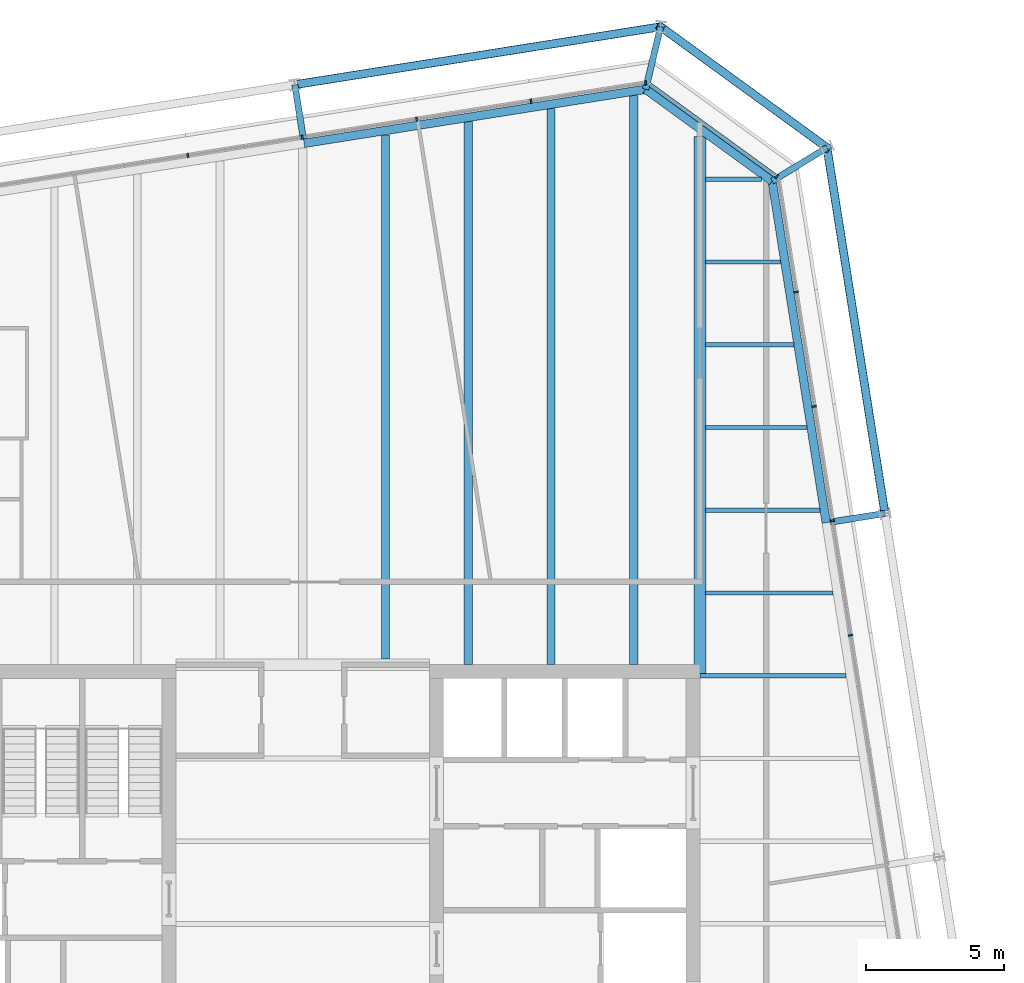
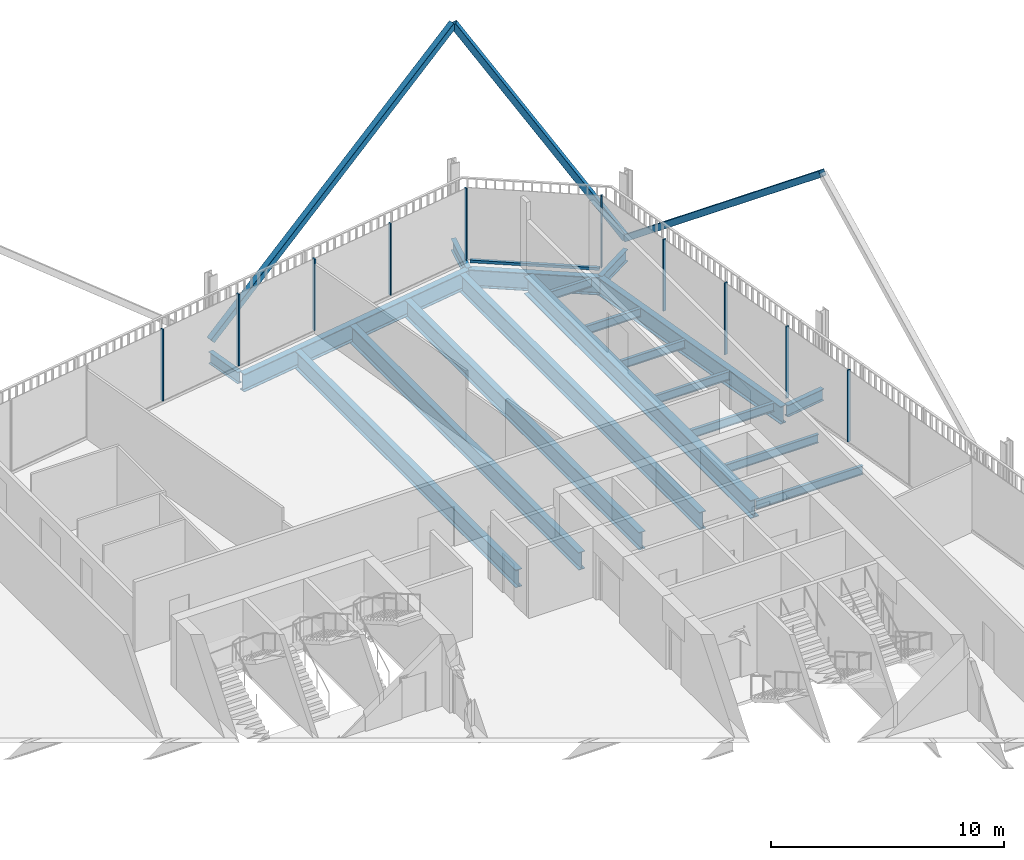
# One storey, part 15 of 21: 19 beams, 14 members, 3 elements without a shape of their own.
"""IFC4 building model written with IfcOpenShell, lengths in metres."""

from ifc_helpers import new_model, si_unit, direction, frame, origin, origin_2d, place, context, subcontext, project, spatial, rectangle, hollow_rectangle, i_section, extrude, material, layer, layer_set, material_profile, profile_set, type_object, element, aggregate, save


model = new_model("IFC4")

# Units and contexts
model_context = context("Model", 3, precision=1e-05, world=origin(), true_north=direction((0.0, 1.0)))
body_context = subcontext(model_context, "Body", "Model", "MODEL_VIEW")
ifc_project = project(units=[si_unit("LENGTHUNIT", "METRE"), si_unit("AREAUNIT", "SQUARE_METRE"), si_unit("VOLUMEUNIT", "CUBIC_METRE"), si_unit("PLANEANGLEUNIT", "RADIAN"), si_unit("MASSUNIT", "GRAM", prefix="KILO")], contexts=[model_context])

# Site, building, storey
site_placement = place(None, origin())
site = spatial("IfcSite", under=ifc_project, at=site_placement, CompositionType="ELEMENT")
building_placement = place(site_placement, origin())
building = spatial("IfcBuilding", under=site, at=building_placement, Name="Millrace Tower", CompositionType="ELEMENT")
storey_placement = place(building_placement, frame((0.0, 0.0, 235.89990234375)))
storey = spatial("IfcBuildingStorey", under=building, at=storey_placement, Name="L54", CompositionType="ELEMENT", Elevation=235.89990234375)

# Curtain wall, members
ifc_material_1 = material(Name="Aluminium and glass", Category="aluminium")
ifc_layer = layer(ifc_material_1, 0.14990234375)
ifc_layer_set = layer_set([ifc_layer], Name="Aluminium and glass")
curtain_wall_type = type_object("IfcCurtainWallType", Name="CW-1 office vision curtain wall", PredefinedType="NOTDEFINED", material=ifc_layer_set)
placement = place(storey_placement, origin())
curtain_wall_1 = element("IfcCurtainWall", 1, at=placement, inside=storey, type_object=curtain_wall_type, Name="Curtain wall D-F04 L54", PredefinedType="NOTDEFINED")
ifc_material_2 = material(Name="Aluminium", Category="aluminium")
ifc_material_profile_1 = material_profile(ifc_material_2, rectangle(XDim=0.06494140625, YDim=0.14990234375, at=origin_2d()))
ifc_profile_set_1 = profile_set([ifc_material_profile_1], Name="Aluminium")
member_type_1 = type_object("IfcMemberType", Name="CW-1 office vision curtain wall mullion", PredefinedType="MULLION", material=ifc_profile_set_1)
member_1_placement = place(storey_placement, frame((19.857421875, 10.466064453125, 0.14013671875), z_axis=(0.0, 0.0, 1.0), x_axis=(-0.156434471884, 0.987688339511, 0.0)))
member_1 = element("IfcMember", 2, at=member_1_placement, type_object=member_type_1, Name="CW1 mullion D-F04.6", PredefinedType="MULLION", context=body_context, shape_type="SweptSolid", body=[
    extrude(rectangle(XDim=0.06494140625, YDim=0.14990234375, at=origin_2d()), origin(), (0.0, 0.0, 1.0), 3.760009765625),
])
member_2_placement = place(storey_placement, frame((19.2001953125, 14.6142578125, 0.14013671875), z_axis=(0.0, 0.0, 1.0), x_axis=(-0.156434471884, 0.987688339511, 0.0)))
member_2 = element("IfcMember", 3, at=member_2_placement, type_object=member_type_1, Name="CW1 mullion D-F04.7", PredefinedType="MULLION", context=body_context, shape_type="SweptSolid", body=[
    extrude(rectangle(XDim=0.06494140625, YDim=0.14990234375, at=origin_2d()), origin(), (0.0, 0.0, 1.0), 3.760009765625),
])
member_3_placement = place(storey_placement, frame((18.543212890625, 18.762451171875, 0.14013671875), z_axis=(0.0, 0.0, 1.0), x_axis=(-0.156434471884, 0.987688339511, 0.0)))
member_3 = element("IfcMember", 4, at=member_3_placement, type_object=member_type_1, Name="CW1 mullion D-F04.8", PredefinedType="MULLION", context=body_context, shape_type="SweptSolid", body=[
    extrude(rectangle(XDim=0.06494140625, YDim=0.14990234375, at=origin_2d()), origin(), (0.0, 0.0, 1.0), 3.760009765625),
])
member_4_placement = place(storey_placement, frame((17.88623046875, 22.910888671875, 0.14013671875), z_axis=(0.0, 0.0, 1.0), x_axis=(-0.156434471884, 0.987688339511, 0.0)))
member_4 = element("IfcMember", 5, at=member_4_placement, type_object=member_type_1, Name="CW1 mullion D-F04.9", PredefinedType="MULLION", context=body_context, shape_type="SweptSolid", body=[
    extrude(rectangle(XDim=0.06494140625, YDim=0.14990234375, at=origin_2d()), origin(), (0.0, 0.0, 1.0), 3.760009765625),
])
aggregate(curtain_wall_1, [member_1, member_2, member_3, member_4])

# Curtain wall, member
curtain_wall_2 = element("IfcCurtainWall", 6, at=placement, inside=storey, type_object=curtain_wall_type, Name="Curtain wall D-F05 L54", PredefinedType="NOTDEFINED")
member_5_placement = place(storey_placement, frame((17.177978515625, 27.094970703125, 0.14013671875), z_axis=(0.0, 0.0, 1.0), x_axis=(-0.809016955361, 0.587785305991, 0.0)))
member_5 = element("IfcMember", 7, at=member_5_placement, type_object=member_type_1, Name="CW1 mullion D-F05.1", PredefinedType="MULLION", context=body_context, shape_type="SweptSolid", body=[
    extrude(rectangle(XDim=0.06494140625, YDim=0.14990234375, at=origin_2d()), origin(), (0.0, 0.0, 1.0), 3.760009765625),
])

# Curtain wall, members
curtain_wall_3 = element("IfcCurtainWall", 8, at=placement, inside=storey, type_object=curtain_wall_type, Name="Curtain wall D-F06 L54", PredefinedType="NOTDEFINED")
member_6_placement = place(storey_placement, frame((12.425537109375, 30.492431640625, 0.14013671875), z_axis=(0.0, 0.0, 1.0), x_axis=(-0.987688339511, -0.156434471884, 0.0)))
member_6 = element("IfcMember", 9, at=member_6_placement, type_object=member_type_1, Name="CW1 mullion D-F06.1", PredefinedType="MULLION", context=body_context, shape_type="SweptSolid", body=[
    extrude(rectangle(XDim=0.06494140625, YDim=0.14990234375, at=origin_2d()), origin(), (0.0, 0.0, 1.0), 3.760009765625),
])
member_7_placement = place(storey_placement, frame((8.277099609375, 29.83544921875, 0.14013671875), z_axis=(0.0, 0.0, 1.0), x_axis=(-0.987688339511, -0.156434471884, 0.0)))
member_7 = element("IfcMember", 10, at=member_7_placement, type_object=member_type_1, Name="CW1 mullion D-F06.2", PredefinedType="MULLION", context=body_context, shape_type="SweptSolid", body=[
    extrude(rectangle(XDim=0.06494140625, YDim=0.14990234375, at=origin_2d()), origin(), (0.0, 0.0, 1.0), 3.760009765625),
])
member_8_placement = place(storey_placement, frame((4.12890625, 29.178466796875, 0.14013671875), z_axis=(0.0, 0.0, 1.0), x_axis=(-0.987688339511, -0.156434471884, 0.0)))
member_8 = element("IfcMember", 11, at=member_8_placement, type_object=member_type_1, Name="CW1 mullion D-F06.3", PredefinedType="MULLION", context=body_context, shape_type="SweptSolid", body=[
    extrude(rectangle(XDim=0.06494140625, YDim=0.14990234375, at=origin_2d()), origin(), (0.0, 0.0, 1.0), 3.760009765625),
])
member_9_placement = place(storey_placement, frame((-0.019287109375, 28.521240234375, 0.14013671875), z_axis=(0.0, 0.0, 1.0), x_axis=(-0.987688339511, -0.156434471884, 0.0)))
member_9 = element("IfcMember", 12, at=member_9_placement, type_object=member_type_1, Name="CW1 mullion D-F06.4", PredefinedType="MULLION", context=body_context, shape_type="SweptSolid", body=[
    extrude(rectangle(XDim=0.06494140625, YDim=0.14990234375, at=origin_2d()), origin(), (0.0, 0.0, 1.0), 3.760009765625),
])
member_10_placement = place(storey_placement, frame((-4.167724609375, 27.8642578125, 0.14013671875), z_axis=(0.0, 0.0, 1.0), x_axis=(-0.987688339511, -0.156434471884, 0.0)))
member_10 = element("IfcMember", 13, at=member_10_placement, type_object=member_type_1, Name="CW1 mullion D-F06.5", PredefinedType="MULLION", context=body_context, shape_type="SweptSolid", body=[
    extrude(rectangle(XDim=0.06494140625, YDim=0.14990234375, at=origin_2d()), origin(), (0.0, 0.0, 1.0), 3.760009765625),
])
aggregate(curtain_wall_3, [member_6, member_7, member_8, member_9, member_10])

# Member
ifc_material_3 = material(Name="Aluminium", Category="aluminium")
ifc_material_profile_2 = material_profile(ifc_material_3, rectangle(XDim=0.14990234375, YDim=0.139892578125, at=origin_2d()))
ifc_profile_set_2 = profile_set([ifc_material_profile_2], Name="Aluminium")
member_type_2 = type_object("IfcMemberType", Name="CW-1 office vision curtain wall transom", PredefinedType="USERDEFINED", material=ifc_profile_set_2)
member_11_placement = place(storey_placement, frame((17.123291015625, 27.134765625, 0.070068359375), z_axis=(-0.809018869857, 0.587782670904, 0.0), x_axis=(-0.587782670904, -0.809018869857, 0.0)))
member_11 = element("IfcMember", 14, at=member_11_placement, type_object=member_type_2, Name="CW1 transom D-F05.1", ObjectType="TRANSOM", PredefinedType="USERDEFINED", context=body_context, shape_type="SweptSolid", body=[
    extrude(rectangle(XDim=0.14990234375, YDim=0.139892578125, at=origin_2d()), origin(), (0.0, 0.0, 1.0), 5.59814453125),
])

aggregate(curtain_wall_2, [member_5, member_11])

# Members
ifc_material_4 = material(Name="Steel ASTM A500 Grade C", Category="steel")
ifc_material_profile_3 = material_profile(ifc_material_4, hollow_rectangle(XDim=0.3046875, YDim=0.3046875, WallThickness=0.009521484375, InnerFilletRadius=0.004638671875, OuterFilletRadius=0.014404296875, at=origin_2d()))
ifc_profile_set_3 = profile_set([ifc_material_profile_3], Name="Steel ASTM A500 Grade C")
member_type_3 = type_object("IfcMemberType", Name="Exoskeleton brace HSS12x12x3/8", PredefinedType="BRACE", material=ifc_profile_set_3)
member_12_placement = place(storey_placement, frame((19.006103515625, 28.146484375, 0.400146484375), z_axis=(0.122339528742, -0.772456675785, 0.623172306623), x_axis=(0.987689444837, 0.156427492975, 0.0)))
element("IfcMember", 15, at=member_12_placement, inside=storey, type_object=member_type_3, Name="BRC-D-L54-08", PredefinedType="BRACE", context=body_context, shape_type="SweptSolid", body=[
    extrude(hollow_rectangle(XDim=0.3046875, YDim=0.3046875, WallThickness=0.009521484375, InnerFilletRadius=0.004638671875, OuterFilletRadius=0.014404296875, at=origin_2d()), origin(), (0.0, 0.0, 1.0), 17.170166015625),
])
member_13_placement = place(storey_placement, frame((19.006103515625, 28.146484375, 0.400146484375), z_axis=(-0.462501499117, 0.336003922532, 0.820483837353), x_axis=(-0.587758820843, -0.809036197288, 0.0)))
element("IfcMember", 16, at=member_13_placement, inside=storey, type_object=member_type_3, Name="BRC-D-L54-09", PredefinedType="BRACE", context=body_context, shape_type="SweptSolid", body=[
    extrude(hollow_rectangle(XDim=0.3046875, YDim=0.3046875, WallThickness=0.009521484375, InnerFilletRadius=0.004638671875, OuterFilletRadius=0.014404296875, at=origin_2d()), origin(), (0.0, 0.0, 1.0), 13.041015625),
])
member_14_placement = place(storey_placement, frame((-0.288330078125, 30.427734375, 0.400146484375), z_axis=(0.772450941051, 0.122340872468, 0.623179151283), x_axis=(-0.156430301989, 0.987688999949, 0.0)))
element("IfcMember", 17, at=member_14_placement, inside=storey, type_object=member_type_3, Name="BRC-D-L54-10", PredefinedType="BRACE", context=body_context, shape_type="SweptSolid", body=[
    extrude(hollow_rectangle(XDim=0.3046875, YDim=0.3046875, WallThickness=0.009521484375, InnerFilletRadius=0.004638671875, OuterFilletRadius=0.014404296875, at=origin_2d()), origin(), (0.0, 0.0, 1.0), 17.169921875),
])

# Beams
ifc_material_5 = material(Name="Steel ASTM A992 Grade 50", Category="steel")
ifc_material_profile_4 = material_profile(ifc_material_5, i_section(OverallWidth=0.15234375, OverallDepth=0.449462890625, WebThickness=0.007568359375, FlangeThickness=0.0107421875, FilletRadius=0.01025390625, at=origin_2d()))
ifc_profile_set_4 = profile_set([ifc_material_profile_4], Name="Steel ASTM A992 Grade 50")
beam_type_1 = type_object("IfcBeamType", Name="Floor beam W18x35", PredefinedType="JOIST", material=ifc_profile_set_4)
beam_1_placement = place(storey_placement, frame((14.39990234375, 9.0, -0.384765625), z_axis=(1.0, 0.0, 0.0), x_axis=(0.0, 1.0, 0.0)))
element("IfcBeam", 18, at=beam_1_placement, inside=storey, type_object=beam_type_1, Name="BM-D-L54-S1-S024", PredefinedType="JOIST", context=body_context, shape_type="SweptSolid", body=[
    extrude(i_section(OverallWidth=0.15234375, OverallDepth=0.449462890625, WebThickness=0.007568359375, FlangeThickness=0.0107421875, FilletRadius=0.01025390625, at=origin_2d()), origin(), (0.0, 0.0, 1.0), 5.302490234375),
])
beam_2_placement = place(storey_placement, frame((14.609619140625, 12.0, -0.384765625), z_axis=(1.0, 0.0, 0.0), x_axis=(0.0, 1.0, 0.0)))
element("IfcBeam", 19, at=beam_2_placement, inside=storey, type_object=beam_type_1, Name="BM-D-L54-S1-S026", PredefinedType="JOIST", context=body_context, shape_type="SweptSolid", body=[
    extrude(i_section(OverallWidth=0.15234375, OverallDepth=0.449462890625, WebThickness=0.007568359375, FlangeThickness=0.0107421875, FilletRadius=0.01025390625, at=origin_2d()), origin(), (0.0, 0.0, 1.0), 4.61767578125),
])
beam_3_placement = place(storey_placement, frame((14.609619140625, 15.0, -0.384765625), z_axis=(1.0, 0.0, 0.0), x_axis=(0.0, 1.0, 0.0)))
element("IfcBeam", 20, at=beam_3_placement, inside=storey, type_object=beam_type_1, Name="BM-D-L54-S1-S028", PredefinedType="JOIST", context=body_context, shape_type="SweptSolid", body=[
    extrude(i_section(OverallWidth=0.15234375, OverallDepth=0.449462890625, WebThickness=0.007568359375, FlangeThickness=0.0107421875, FilletRadius=0.01025390625, at=origin_2d()), origin(), (0.0, 0.0, 1.0), 4.142578125),
])
beam_4_placement = place(storey_placement, frame((14.609619140625, 18.0, -0.384765625), z_axis=(1.0, 0.0, 0.0), x_axis=(0.0, 1.0, 0.0)))
element("IfcBeam", 21, at=beam_4_placement, inside=storey, type_object=beam_type_1, Name="BM-D-L54-S1-S030", PredefinedType="JOIST", context=body_context, shape_type="SweptSolid", body=[
    extrude(i_section(OverallWidth=0.15234375, OverallDepth=0.449462890625, WebThickness=0.007568359375, FlangeThickness=0.0107421875, FilletRadius=0.01025390625, at=origin_2d()), origin(), (0.0, 0.0, 1.0), 3.667236328125),
])
beam_5_placement = place(storey_placement, frame((14.609619140625, 21.0, -0.384765625), z_axis=(1.0, 0.0, 0.0), x_axis=(0.0, 1.0, 0.0)))
element("IfcBeam", 22, at=beam_5_placement, inside=storey, type_object=beam_type_1, Name="BM-D-L54-S1-S032", PredefinedType="JOIST", context=body_context, shape_type="SweptSolid", body=[
    extrude(i_section(OverallWidth=0.15234375, OverallDepth=0.449462890625, WebThickness=0.007568359375, FlangeThickness=0.0107421875, FilletRadius=0.01025390625, at=origin_2d()), origin(), (0.0, 0.0, 1.0), 3.192138671875),
])
beam_6_placement = place(storey_placement, frame((14.609619140625, 24.0, -0.384765625), z_axis=(1.0, 0.0, 0.0), x_axis=(0.0, 1.0, 0.0)))
element("IfcBeam", 23, at=beam_6_placement, inside=storey, type_object=beam_type_1, Name="BM-D-L54-S1-S034", PredefinedType="JOIST", context=body_context, shape_type="SweptSolid", body=[
    extrude(i_section(OverallWidth=0.15234375, OverallDepth=0.449462890625, WebThickness=0.007568359375, FlangeThickness=0.0107421875, FilletRadius=0.01025390625, at=origin_2d()), origin(), (0.0, 0.0, 1.0), 2.717041015625),
])
beam_7_placement = place(storey_placement, frame((14.609619140625, 27.0, -0.384765625), z_axis=(1.0, 0.0, 0.0), x_axis=(0.0, 1.0, 0.0)))
element("IfcBeam", 24, at=beam_7_placement, inside=storey, type_object=beam_type_1, Name="BM-D-L54-S1-S035", PredefinedType="JOIST", context=body_context, shape_type="SweptSolid", body=[
    extrude(i_section(OverallWidth=0.15234375, OverallDepth=0.449462890625, WebThickness=0.007568359375, FlangeThickness=0.0107421875, FilletRadius=0.01025390625, at=origin_2d()), origin(), (0.0, 0.0, 1.0), 2.020751953125),
])
ifc_material_6 = material(Name="Steel ASTM A992 Grade 50", Category="steel")
ifc_material_profile_5 = material_profile(ifc_material_6, i_section(OverallWidth=0.307373046875, OverallDepth=0.927001953125, WebThickness=0.01953125, FlangeThickness=0.031982421875, FilletRadius=0.01904296875, at=origin_2d()))
ifc_profile_set_5 = profile_set([ifc_material_profile_5], Name="Steel ASTM A992 Grade 50")
beam_type_2 = type_object("IfcBeamType", Name="Floor beam W36x194", PredefinedType="JOIST", material=ifc_profile_set_5)
beam_8_placement = place(storey_placement, frame((3.0, 9.609619140625, -0.62353515625), z_axis=(0.0, 1.0, 0.0), x_axis=(-1.0, 0.0, 0.0)))
element("IfcBeam", 25, at=beam_8_placement, inside=storey, type_object=beam_type_2, Name="BM-D-L54-S1-S046", PredefinedType="JOIST", context=body_context, shape_type="SweptSolid", body=[
    extrude(i_section(OverallWidth=0.307373046875, OverallDepth=0.927001953125, WebThickness=0.01953125, FlangeThickness=0.031982421875, FilletRadius=0.01904296875, at=origin_2d()), origin(), (0.0, 0.0, 1.0), 19.0029296875),
])
beam_9_placement = place(storey_placement, frame((6.0, 9.39990234375, -0.62353515625), z_axis=(0.0, 1.0, 0.0), x_axis=(-1.0, 0.0, 0.0)))
element("IfcBeam", 26, at=beam_9_placement, inside=storey, type_object=beam_type_2, Name="BM-D-L54-S1-S048", PredefinedType="JOIST", context=body_context, shape_type="SweptSolid", body=[
    extrude(i_section(OverallWidth=0.307373046875, OverallDepth=0.927001953125, WebThickness=0.01953125, FlangeThickness=0.031982421875, FilletRadius=0.01904296875, at=origin_2d()), origin(), (0.0, 0.0, 1.0), 19.687744140625),
])
beam_10_placement = place(storey_placement, frame((9.0, 9.39990234375, -0.62353515625), z_axis=(0.0, 1.0, 0.0), x_axis=(-1.0, 0.0, 0.0)))
element("IfcBeam", 27, at=beam_10_placement, inside=storey, type_object=beam_type_2, Name="BM-D-L54-S1-S050", PredefinedType="JOIST", context=body_context, shape_type="SweptSolid", body=[
    extrude(i_section(OverallWidth=0.307373046875, OverallDepth=0.927001953125, WebThickness=0.01953125, FlangeThickness=0.031982421875, FilletRadius=0.01904296875, at=origin_2d()), origin(), (0.0, 0.0, 1.0), 20.162841796875),
])
beam_11_placement = place(storey_placement, frame((12.0, 9.39990234375, -0.62353515625), z_axis=(0.0, 1.0, 0.0), x_axis=(-1.0, 0.0, 0.0)))
element("IfcBeam", 28, at=beam_11_placement, inside=storey, type_object=beam_type_2, Name="BM-D-L54-S1-S052", PredefinedType="JOIST", context=body_context, shape_type="SweptSolid", body=[
    extrude(i_section(OverallWidth=0.307373046875, OverallDepth=0.927001953125, WebThickness=0.01953125, FlangeThickness=0.031982421875, FilletRadius=0.01904296875, at=origin_2d()), origin(), (0.0, 0.0, 1.0), 20.637939453125),
])
ifc_material_7 = material(Name="Steel ASTM A992 Grade 50", Category="steel")
ifc_material_profile_6 = material_profile(ifc_material_7, i_section(OverallWidth=0.424072265625, OverallDepth=0.947509765625, WebThickness=0.02392578125, FlangeThickness=0.042724609375, FilletRadius=0.024169921875, at=origin_2d()))
ifc_profile_set_6 = profile_set([ifc_material_profile_6], Name="Steel ASTM A992 Grade 50")
beam_type_3 = type_object("IfcBeamType", Name="Girder medium span W36x302", PredefinedType="BEAM", material=ifc_profile_set_6)
beam_12_placement = place(storey_placement, frame((14.39990234375, 9.080078125, -0.633544921875), z_axis=(0.0, 1.0, 0.0), x_axis=(-1.0, 0.0, 0.0)))
element("IfcBeam", 29, at=beam_12_placement, inside=storey, type_object=beam_type_3, Name="BM-D-L54-S1-G056", PredefinedType="BEAM", context=body_context, shape_type="SweptSolid", body=[
    extrude(i_section(OverallWidth=0.424072265625, OverallDepth=0.947509765625, WebThickness=0.02392578125, FlangeThickness=0.042724609375, FilletRadius=0.024169921875, at=origin_2d()), origin(), (0.0, 0.0, 1.0), 19.460693359375),
])
ifc_material_8 = material(Name="Steel ASTM A992 Grade 50", Category="steel")
ifc_material_profile_7 = material_profile(ifc_material_8, i_section(OverallWidth=0.23046875, OverallDepth=0.6171875, WebThickness=0.01318359375, FlangeThickness=0.022216796875, FilletRadius=0.012939453125, at=origin_2d()))
ifc_profile_set_7 = profile_set([ifc_material_profile_7], Name="Steel ASTM A992 Grade 50")
beam_type_4 = type_object("IfcBeamType", Name="Link beam W24x94", PredefinedType="BEAM", material=ifc_profile_set_7)
beam_13_placement = place(storey_placement, frame((0.0244140625, 28.452392578125, -0.468505859375), z_axis=(-0.15637629034, 0.987697552806, 0.0), x_axis=(-0.987697552806, -0.15637629034, 0.0)))
element("IfcBeam", 30, at=beam_13_placement, inside=storey, type_object=beam_type_4, Name="LNK-D-L54-S1-07", PredefinedType="BEAM", context=body_context, shape_type="SweptSolid", body=[
    extrude(i_section(OverallWidth=0.23046875, OverallDepth=0.6171875, WebThickness=0.01318359375, FlangeThickness=0.022216796875, FilletRadius=0.012939453125, at=origin_2d()), origin(), (0.0, 0.0, 1.0), 2.0),
])
beam_14_placement = place(storey_placement, frame((12.430419921875, 30.26171875, -0.468505859375), z_axis=(0.233456138164, 0.972367333652, 0.0), x_axis=(-0.972367333652, 0.233456138164, 0.0)))
element("IfcBeam", 31, at=beam_14_placement, inside=storey, type_object=beam_type_4, Name="LNK-D-L54-S1-08", PredefinedType="BEAM", context=body_context, shape_type="SweptSolid", body=[
    extrude(i_section(OverallWidth=0.23046875, OverallDepth=0.6171875, WebThickness=0.01318359375, FlangeThickness=0.022216796875, FilletRadius=0.012939453125, at=origin_2d()), origin(), (0.0, 0.0, 1.0), 2.3310546875),
])
beam_15_placement = place(storey_placement, frame((17.018310546875, 26.928466796875, -0.468505859375), z_axis=(0.852659946142, 0.5224662824, 0.0), x_axis=(-0.5224662824, 0.852659946142, 0.0)))
element("IfcBeam", 32, at=beam_15_placement, inside=storey, type_object=beam_type_4, Name="LNK-D-L54-S1-09", PredefinedType="BEAM", context=body_context, shape_type="SweptSolid", body=[
    extrude(i_section(OverallWidth=0.23046875, OverallDepth=0.6171875, WebThickness=0.01318359375, FlangeThickness=0.022216796875, FilletRadius=0.012939453125, at=origin_2d()), origin(), (0.0, 0.0, 1.0), 2.331298828125),
])
beam_16_placement = place(storey_placement, frame((19.13134765625, 14.5703125, -0.468505859375), z_axis=(0.987678691416, 0.156495375404, 0.0), x_axis=(-0.156495375404, 0.987678691416, 0.0)))
element("IfcBeam", 33, at=beam_16_placement, inside=storey, type_object=beam_type_4, Name="LNK-D-L54-S1-10", PredefinedType="BEAM", context=body_context, shape_type="SweptSolid", body=[
    extrude(i_section(OverallWidth=0.23046875, OverallDepth=0.6171875, WebThickness=0.01318359375, FlangeThickness=0.022216796875, FilletRadius=0.012939453125, at=origin_2d()), origin(), (0.0, 0.0, 1.0), 2.0),
])
ifc_material_9 = material(Name="Steel ASTM A992 Grade 50", Category="steel")
ifc_material_profile_8 = material_profile(ifc_material_9, i_section(OverallWidth=0.307373046875, OverallDepth=0.927001953125, WebThickness=0.01953125, FlangeThickness=0.031982421875, FilletRadius=0.01904296875, at=origin_2d()))
ifc_profile_set_8 = profile_set([ifc_material_profile_8], Name="Steel ASTM A992 Grade 50")
beam_type_5 = type_object("IfcBeamType", Name="Ring beam medium span W36x194", PredefinedType="SPANDREL", material=ifc_profile_set_8)
beam_17_placement = place(storey_placement, frame((0.048583984375, 28.300537109375, -0.62353515625), z_axis=(0.987687213011, 0.156441584157, 0.0), x_axis=(-0.156441584157, 0.987687213011, 0.0)))
element("IfcBeam", 34, at=beam_17_placement, inside=storey, type_object=beam_type_5, Name="RNG-D-L54-S1-07", PredefinedType="SPANDREL", context=body_context, shape_type="SweptSolid", body=[
    extrude(i_section(OverallWidth=0.307373046875, OverallDepth=0.927001953125, WebThickness=0.01953125, FlangeThickness=0.031982421875, FilletRadius=0.01904296875, at=origin_2d()), origin(), (0.0, 0.0, 1.0), 12.5361328125),
])
beam_18_placement = place(storey_placement, frame((17.018310546875, 26.928466796875, -0.62353515625), z_axis=(0.156438575049, -0.987687689625, 0.0), x_axis=(0.987687689625, 0.156438575049, 0.0)))
element("IfcBeam", 35, at=beam_18_placement, inside=storey, type_object=beam_type_5, Name="RNG-D-L54-S1-09", PredefinedType="SPANDREL", context=body_context, shape_type="SweptSolid", body=[
    extrude(i_section(OverallWidth=0.307373046875, OverallDepth=0.927001953125, WebThickness=0.01953125, FlangeThickness=0.031982421875, FilletRadius=0.01904296875, at=origin_2d()), origin(), (0.0, 0.0, 1.0), 12.536376953125),
])
ifc_material_10 = material(Name="Steel ASTM A992 Grade 50", Category="steel")
ifc_material_profile_9 = material_profile(ifc_material_10, i_section(OverallWidth=0.307373046875, OverallDepth=0.927001953125, WebThickness=0.01953125, FlangeThickness=0.031982421875, FilletRadius=0.01904296875, at=origin_2d()))
ifc_profile_set_9 = profile_set([ifc_material_profile_9], Name="Steel ASTM A992 Grade 50")
beam_type_6 = type_object("IfcBeamType", Name="Ring beam short span W36x194", PredefinedType="SPANDREL", material=ifc_profile_set_9)
beam_19_placement = place(storey_placement, frame((12.430419921875, 30.26171875, -0.62353515625), z_axis=(0.80902082646, -0.587779977844, 0.0), x_axis=(0.587779977844, 0.80902082646, 0.0)))
element("IfcBeam", 36, at=beam_19_placement, inside=storey, type_object=beam_type_6, Name="RNG-D-L54-S1-08", PredefinedType="SPANDREL", context=body_context, shape_type="SweptSolid", body=[
    extrude(i_section(OverallWidth=0.307373046875, OverallDepth=0.927001953125, WebThickness=0.01953125, FlangeThickness=0.031982421875, FilletRadius=0.01904296875, at=origin_2d()), origin(), (0.0, 0.0, 1.0), 5.6708984375),
])

save(model, "model.ifc")
